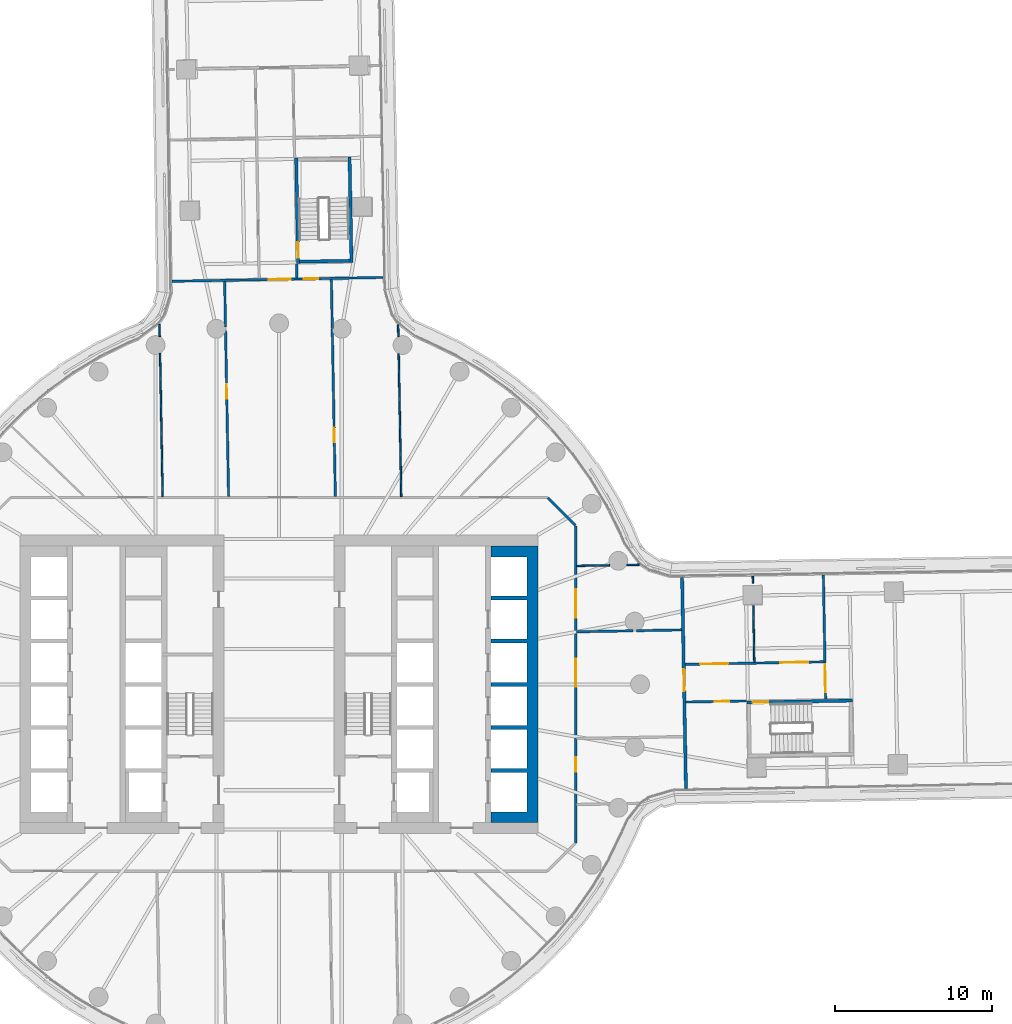
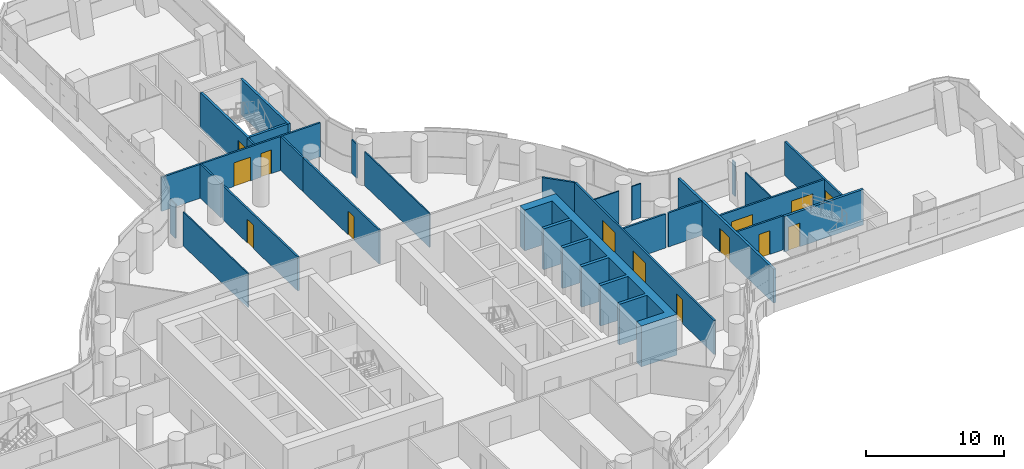
# One storey, part 22 of 31: 27 walls, 14 doors, 14 openings.
"""IFC4 building model written with IfcOpenShell, lengths in metres."""

from ifc_helpers import new_model, si_unit, direction, frame, frame_2d, origin, place, context, subcontext, project, spatial, polyline, rectangle, outline, extrude, material, layer, layer_set, type_object, element, fill, save


model = new_model("IFC4")

# Units and contexts
model_context = context("Model", 3, precision=1e-05, world=origin(), true_north=direction((0.0, 1.0)))
body_context = subcontext(model_context, "Body", "Model", "MODEL_VIEW")
ifc_project = project(units=[si_unit("LENGTHUNIT", "METRE"), si_unit("AREAUNIT", "SQUARE_METRE"), si_unit("VOLUMEUNIT", "CUBIC_METRE"), si_unit("PLANEANGLEUNIT", "RADIAN"), si_unit("MASSUNIT", "GRAM", prefix="KILO")], contexts=[model_context])

# Site, building, storey
site_placement = place(None, origin())
site = spatial("IfcSite", under=ifc_project, at=site_placement, CompositionType="ELEMENT")
building_placement = place(site_placement, origin())
building = spatial("IfcBuilding", under=site, at=building_placement, Name="Tamarind Cross Interchange Tower", CompositionType="ELEMENT")
storey_placement = place(building_placement, frame((0.0, 0.0, 37.75)))
storey = spatial("IfcBuildingStorey", under=building, at=storey_placement, Name="L07", CompositionType="ELEMENT", Elevation=37.75)

# Walls
ifc_material_1 = material(Name="Concrete C80", Category="concrete")
ifc_layer_1 = layer(ifc_material_1, 0.699951171875)
ifc_layer_set_1 = layer_set([ifc_layer_1], Name="Concrete C80")
wall_type_1 = type_object("IfcWallType", Name="Core wall 700 mm Concrete C80", PredefinedType="SHEAR", material=ifc_layer_set_1)
wall_1_placement = place(storey_placement, origin())
element("IfcWall", 1, at=wall_1_placement, inside=storey, type_object=wall_type_1, Name="Core wall CWL-L07-E-A", PredefinedType="SHEAR", context=body_context, shape_type="SweptSolid", body=[
    extrude(outline(polyline([(13.5, -8.800048828125), (15.800048828125, -8.800048828125), (16.5, -8.800048828125), (16.5, 8.800048828125), (15.800048828125, 8.800048828125), (13.5, 8.800048828125), (13.5, 8.125), (15.800048828125, 8.125), (15.800048828125, 5.625), (13.5, 5.625), (13.5, 5.375), (15.800048828125, 5.375), (15.800048828125, 2.875), (13.5, 2.875), (13.5, 2.625), (15.800048828125, 2.625), (15.800048828125, 0.125), (13.5, 0.125), (13.5, -0.125), (15.800048828125, -0.125), (15.800048828125, -2.625), (13.5, -2.625), (13.5, -2.875), (15.800048828125, -2.875), (15.800048828125, -5.375), (13.5, -5.375), (13.5, -5.625), (15.800048828125, -5.625), (15.800048828125, -8.125), (13.5, -8.125), (13.5, -8.800048828125)])), origin(), (0.0, 0.0, 1.0), 3.610107421875),
])
ifc_material_2 = material(Name="Gypsum board partition on steel studs", Category="steel")
ifc_layer_2 = layer(ifc_material_2, 0.10009765625)
ifc_layer_set_2 = layer_set([ifc_layer_2], Name="Gypsum board partition on steel studs")
wall_type_2 = type_object("IfcWallType", Name="Partition 100 mm EI 90", PredefinedType="PARTITIONING", material=ifc_layer_set_2)
wall_2_placement = place(storey_placement, frame((-7.617919921875, 22.93798828125, 0.0), z_axis=(0.0, 0.0, 1.0), x_axis=(0.01802629026, -0.999837513229, 0.0)))
element("IfcWall", 2, at=wall_2_placement, inside=storey, type_object=wall_type_2, Name="Partition L07-004", PredefinedType="PARTITIONING", context=body_context, shape_type="SweptSolid", body=[
    extrude(rectangle(XDim=0.78564453125, YDim=0.10009765625, at=frame_2d((0.392822265625, 0.0))), origin(), (0.0, 0.0, 1.0), 3.010009765625),
])
wall_3_placement = place(storey_placement, frame((-7.583984375, 21.07861328125, 0.0), z_axis=(0.0, 0.0, 1.0), x_axis=(0.018176380895, -0.999834795943, 0.0)))
element("IfcWall", 3, at=wall_3_placement, inside=storey, type_object=wall_type_2, Name="Partition L07-005", PredefinedType="PARTITIONING", context=body_context, shape_type="SweptSolid", body=[
    extrude(rectangle(XDim=9.1201171875, YDim=0.10009765625, at=frame_2d((4.56005859375, 0.0))), origin(), (0.0, 0.0, 1.0), 3.010009765625),
])
wall_4_placement = place(storey_placement, frame((7.5849609375, 22.902587890625, 0.0), z_axis=(0.0, 0.0, 1.0), x_axis=(0.018190621855, -0.999834536949, 0.0)))
element("IfcWall", 4, at=wall_4_placement, inside=storey, type_object=wall_type_2, Name="Partition L07-025", PredefinedType="PARTITIONING", context=body_context, shape_type="SweptSolid", body=[
    extrude(rectangle(XDim=0.751708984375, YDim=0.10009765625, at=frame_2d((0.3759765625, 0.0))), origin(), (0.0, 0.0, 1.0), 3.010009765625),
])
wall_5_placement = place(storey_placement, frame((7.618408203125, 21.0693359375, 0.0), z_axis=(0.0, 0.0, 1.0), x_axis=(0.018168098566, -0.999834946476, 0.0)))
element("IfcWall", 5, at=wall_5_placement, inside=storey, type_object=wall_type_2, Name="Partition L07-026", PredefinedType="PARTITIONING", context=body_context, shape_type="SweptSolid", body=[
    extrude(rectangle(XDim=9.11083984375, YDim=0.10009765625, at=frame_2d((4.555419921875, 0.0))), origin(), (0.0, 0.0, 1.0), 3.010009765625),
])
wall_6_placement = place(storey_placement, frame((30.176025390625, 6.88427734375, 0.0), z_axis=(0.0, 0.0, 1.0), x_axis=(0.018320078689, -0.999832173276, 0.0)))
element("IfcWall", 6, at=wall_6_placement, inside=storey, type_object=wall_type_2, Name="Partition L07-028", PredefinedType="PARTITIONING", context=body_context, shape_type="SweptSolid", body=[
    extrude(rectangle(XDim=0.439697265625, YDim=0.10009765625, at=frame_2d((0.2197265625, 0.0))), origin(), (0.0, 0.0, 1.0), 3.010009765625),
])
wall_7_placement = place(storey_placement, frame((30.210205078125, 5.011962890625, 0.0), z_axis=(0.0, 0.0, 1.0), x_axis=(0.018234256043, -0.999833742132, 0.0)))
element("IfcWall", 7, at=wall_7_placement, inside=storey, type_object=wall_type_2, Name="Partition L07-029", PredefinedType="PARTITIONING", context=body_context, shape_type="SweptSolid", body=[
    extrude(rectangle(XDim=3.6015625, YDim=0.10009765625, at=frame_2d((1.80078125, 0.0))), origin(), (0.0, 0.0, 1.0), 3.010009765625),
])
wall_8_placement = place(storey_placement, frame((18.9599609375, 7.546142578125, 0.0), z_axis=(0.0, 0.0, 1.0), x_axis=(0.999836384885, 0.018088766124, 0.0)))
element("IfcWall", 8, at=wall_8_placement, inside=storey, type_object=wall_type_2, Name="Partition L07-068", PredefinedType="PARTITIONING", context=body_context, shape_type="SweptSolid", body=[
    extrude(rectangle(XDim=2.118896484375, YDim=0.10009765625, at=frame_2d((1.0595703125, 0.0))), origin(), (0.0, 0.0, 1.0), 3.010009765625),
])
wall_9_placement = place(storey_placement, frame((22.152587890625, 7.603759765625, 0.0), z_axis=(0.0, 0.0, 1.0), x_axis=(0.999837513229, 0.01802629026, 0.0)))
element("IfcWall", 9, at=wall_9_placement, inside=storey, type_object=wall_type_2, Name="Partition L07-069", PredefinedType="PARTITIONING", context=body_context, shape_type="SweptSolid", body=[
    extrude(rectangle(XDim=0.78564453125, YDim=0.10009765625, at=frame_2d((0.392822265625, 0.0))), origin(), (0.0, 0.0, 1.0), 3.010009765625),
])
ifc_layer_3 = layer(ifc_material_2, 0.14990234375)
ifc_layer_set_3 = layer_set([ifc_layer_3], Name="Gypsum board partition on steel studs")
wall_type_3 = type_object("IfcWallType", Name="Partition 150 mm EI 120", PredefinedType="PARTITIONING", material=ifc_layer_set_3)
wall_10_placement = place(storey_placement, frame((-3.468017578125, 25.677001953125, 0.0), z_axis=(0.0, 0.0, 1.0), x_axis=(0.018276336432, -0.999832973814, 0.0)))
element("IfcWall", 10, at=wall_10_placement, inside=storey, type_object=wall_type_3, Name="Partition L07-010", PredefinedType="PARTITIONING", context=body_context, shape_type="SweptSolid", body=[
    extrude(rectangle(XDim=2.912109375, YDim=0.14990234375, at=frame_2d((1.4560546875, 0.0))), origin(), (0.0, 0.0, 1.0), 3.010009765625),
])

# Wall, opening, door
wall_11_placement = place(storey_placement, frame((-3.41064453125, 22.550537109375, 0.0), z_axis=(0.0, 0.0, 1.0), x_axis=(0.018277681107, -0.999832949234, 0.0)))
wall_11 = element("IfcWall", 11, at=wall_11_placement, inside=storey, type_object=wall_type_3, Name="Partition L07-011", PredefinedType="PARTITIONING", context=body_context, shape_type="SweptSolid", body=[
    extrude(rectangle(XDim=10.59228515625, YDim=0.14990234375, at=frame_2d((5.296142578125, 0.0))), origin(), (0.0, 0.0, 1.0), 3.010009765625),
])
opening_1_placement = place(wall_11_placement, frame((3.449951171875, 0.0, 0.0)))
opening_1 = element("IfcOpeningElement", 12, at=opening_1_placement, cuts=wall_11, Name="Opening D04", PredefinedType="OPENING", context=body_context, shape_type="SweptSolid", body=[
    extrude(rectangle(XDim=0.89990234375, YDim=2.10009765625, at=frame_2d((0.449951171875, 1.050048828125))), frame((0.0, 0.0849609375, 0.0), z_axis=(0.0, -1.0, 0.0), x_axis=(1.0, 0.0, 0.0)), (0.0, 0.0, 1.0), 0.169921875),
])
ifc_material_3 = material(Name="Fire-resisting door set")
door_type_1 = type_object("IfcDoorType", Name="Interior door 900 x 2100 FD60S", OperationType="SINGLE_SWING_LEFT", PredefinedType="DOOR", material=ifc_material_3)
door_1_placement = place(opening_1_placement, frame((0.89990234375, 0.0, 0.0), z_axis=(0.0, 0.0, 1.0), x_axis=(-1.0, 0.0, 0.0)))
door_1 = element("IfcDoor", 13, at=door_1_placement, inside=storey, type_object=door_type_1, Name="Door D04", OperationType="SINGLE_SWING_LEFT", OverallHeight=2.10009765625, OverallWidth=0.89990234375, PredefinedType="DOOR", context=body_context, shape_type="SweptSolid", body=[
    extrude(rectangle(XDim=0.89990234375, YDim=2.10009765625, at=frame_2d((0.449951171875, 1.050048828125))), frame((0.0, 0.02490234375, 0.0), z_axis=(0.0, -1.0, 0.0), x_axis=(1.0, 0.0, 0.0)), (0.0, 0.0, 1.0), 0.050048828125),
])
fill(opening_1, door_1)

# Walls
wall_12_placement = place(storey_placement, frame((1.11328125, 26.78125, 0.0), z_axis=(0.0, 0.0, 1.0), x_axis=(0.018440042805, -0.999829967955, 0.0)))
element("IfcWall", 14, at=wall_12_placement, inside=storey, type_object=wall_type_3, Name="Partition L07-016", PredefinedType="PARTITIONING", context=body_context, shape_type="SweptSolid", body=[
    extrude(rectangle(XDim=0.900390625, YDim=0.14990234375, at=frame_2d((0.4501953125, 0.0))), origin(), (0.0, 0.0, 1.0), 3.010009765625),
])
wall_13_placement = place(storey_placement, frame((3.3310546875, 25.801025390625, 0.0), z_axis=(0.0, 0.0, 1.0), x_axis=(0.018225530333, -0.999833901228, 0.0)))
element("IfcWall", 15, at=wall_13_placement, inside=storey, type_object=wall_type_3, Name="Partition L07-020", PredefinedType="PARTITIONING", context=body_context, shape_type="SweptSolid", body=[
    extrude(rectangle(XDim=3.134521484375, YDim=0.14990234375, at=frame_2d((1.5673828125, 0.0))), origin(), (0.0, 0.0, 1.0), 3.010009765625),
])

# Wall, opening, door
wall_14_placement = place(storey_placement, frame((3.388916015625, 22.631591796875, 0.0), z_axis=(0.0, 0.0, 1.0), x_axis=(0.018276098683, -0.99983297816, 0.0)))
wall_14 = element("IfcWall", 16, at=wall_14_placement, inside=storey, type_object=wall_type_3, Name="Partition L07-021", PredefinedType="PARTITIONING", context=body_context, shape_type="SweptSolid", body=[
    extrude(rectangle(XDim=10.67333984375, YDim=0.14990234375, at=frame_2d((5.336669921875, 0.0))), origin(), (0.0, 0.0, 1.0), 3.010009765625),
])
opening_2_placement = place(wall_14_placement, frame((6.300048828125, 0.0, 0.0)))
opening_2 = element("IfcOpeningElement", 17, at=opening_2_placement, cuts=wall_14, Name="Opening D14", PredefinedType="OPENING", context=body_context, shape_type="SweptSolid", body=[
    extrude(rectangle(XDim=0.89990234375, YDim=2.10009765625, at=frame_2d((0.449951171875, 1.050048828125))), frame((0.0, 0.0849609375, 0.0), z_axis=(0.0, -1.0, 0.0), x_axis=(1.0, 0.0, 0.0)), (0.0, 0.0, 1.0), 0.169921875),
])
door_2_placement = place(opening_2_placement, origin())
door_2 = element("IfcDoor", 18, at=door_2_placement, inside=storey, type_object=door_type_1, Name="Door D14", OperationType="SINGLE_SWING_LEFT", OverallHeight=2.10009765625, OverallWidth=0.89990234375, PredefinedType="DOOR", context=body_context, shape_type="SweptSolid", body=[
    extrude(rectangle(XDim=0.89990234375, YDim=2.10009765625, at=frame_2d((0.449951171875, 1.050048828125))), frame((0.0, 0.02490234375, 0.0), z_axis=(0.0, -1.0, 0.0), x_axis=(1.0, 0.0, 0.0)), (0.0, 0.0, 1.0), 0.050048828125),
])
fill(opening_2, door_2)

wall_15_placement = place(storey_placement, frame((34.675048828125, 6.95703125, 0.0), z_axis=(0.0, 0.0, 1.0), x_axis=(0.018268861417, -0.999833110425, 0.0)))
wall_15 = element("IfcWall", 19, at=wall_15_placement, inside=storey, type_object=wall_type_3, Name="Partition L07-030", PredefinedType="PARTITIONING", context=body_context, shape_type="SweptSolid", body=[
    extrude(rectangle(XDim=7.884521484375, YDim=0.14990234375, at=frame_2d((3.9423828125, 0.0))), origin(), (0.0, 0.0, 1.0), 3.010009765625),
])
opening_3_placement = place(wall_15_placement, frame((5.675048828125, 0.0, 0.0)))
opening_3 = element("IfcOpeningElement", 20, at=opening_3_placement, cuts=wall_15, Name="Opening D16", PredefinedType="OPENING", context=body_context, shape_type="SweptSolid", body=[
    extrude(rectangle(XDim=1.800048828125, YDim=2.10009765625, at=frame_2d((0.89990234375, 1.050048828125))), frame((0.0, 0.0849609375, 0.0), z_axis=(0.0, -1.0, 0.0), x_axis=(1.0, 0.0, 0.0)), (0.0, 0.0, 1.0), 0.169921875),
])
door_type_2 = type_object("IfcDoorType", Name="Interior door 1800 x 2100 FD60S", OperationType="DOUBLE_DOOR_SINGLE_SWING", PredefinedType="DOOR", material=ifc_material_3)
door_3_placement = place(opening_3_placement, origin())
door_3 = element("IfcDoor", 21, at=door_3_placement, inside=storey, type_object=door_type_2, Name="Door D16", OperationType="DOUBLE_DOOR_SINGLE_SWING", OverallHeight=2.10009765625, OverallWidth=1.800048828125, PredefinedType="DOOR", context=body_context, shape_type="SweptSolid", body=[
    extrude(rectangle(XDim=1.800048828125, YDim=2.10009765625, at=frame_2d((0.89990234375, 1.050048828125))), frame((0.0, 0.02490234375, 0.0), z_axis=(0.0, -1.0, 0.0), x_axis=(1.0, 0.0, 0.0)), (0.0, 0.0, 1.0), 0.050048828125),
])
fill(opening_3, door_3)

# Wall
wall_16_placement = place(storey_placement, frame((17.12841796875, 11.87158203125, 0.0), z_axis=(0.0, 0.0, 1.0), x_axis=(0.707106781187, -0.707106781187, 0.0)))
element("IfcWall", 22, at=wall_16_placement, inside=storey, type_object=wall_type_3, Name="Partition L07-033", PredefinedType="PARTITIONING", context=body_context, shape_type="SweptSolid", body=[
    extrude(rectangle(XDim=2.465087890625, YDim=0.14990234375, at=frame_2d((1.232421875, 0.0))), origin(), (0.0, 0.0, 1.0), 3.010009765625),
])

# Wall, openings, doors
wall_17_placement = place(storey_placement, frame((-6.811279296875, 25.676025390625, 0.0), z_axis=(0.0, 0.0, 1.0), x_axis=(0.999833398488, 0.018253089291, 0.0)))
wall_17 = element("IfcWall", 23, at=wall_17_placement, inside=storey, type_object=wall_type_3, Name="Partition L07-055", PredefinedType="PARTITIONING", context=body_context, shape_type="SweptSolid", body=[
    extrude(rectangle(XDim=13.442138671875, YDim=0.14990234375, at=frame_2d((6.72119140625, 0.0))), origin(), (0.0, 0.0, 1.0), 3.010009765625),
])
opening_4_placement = place(wall_17_placement, frame((6.143310546875, 0.0, 0.0)))
opening_4 = element("IfcOpeningElement", 24, at=opening_4_placement, cuts=wall_17, Name="Opening D28", PredefinedType="OPENING", context=body_context, shape_type="SweptSolid", body=[
    extrude(rectangle(XDim=1.39990234375, YDim=2.10009765625, at=frame_2d((0.699951171875, 1.050048828125))), frame((0.0, 0.0849609375, 0.0), z_axis=(0.0, -1.0, 0.0), x_axis=(1.0, 0.0, 0.0)), (0.0, 0.0, 1.0), 0.169921875),
])
opening_5_placement = place(wall_17_placement, frame((8.393798828125, 0.0, 0.0)))
opening_5 = element("IfcOpeningElement", 25, at=opening_5_placement, cuts=wall_17, Name="Opening D29", PredefinedType="OPENING", context=body_context, shape_type="SweptSolid", body=[
    extrude(rectangle(XDim=0.89990234375, YDim=2.10009765625, at=frame_2d((0.449951171875, 1.050048828125))), frame((0.0, 0.0849609375, 0.0), z_axis=(0.0, -1.0, 0.0), x_axis=(1.0, 0.0, 0.0)), (0.0, 0.0, 1.0), 0.169921875),
])
door_type_3 = type_object("IfcDoorType", Name="Interior door 1400 x 2100 FD60S", OperationType="DOUBLE_DOOR_SINGLE_SWING", PredefinedType="DOOR", material=ifc_material_3)
door_4_placement = place(opening_4_placement, frame((1.39990234375, 0.0, 0.0), z_axis=(0.0, 0.0, 1.0), x_axis=(-1.0, 0.0, 0.0)))
door_4 = element("IfcDoor", 26, at=door_4_placement, inside=storey, type_object=door_type_3, Name="Door D28", OperationType="DOUBLE_DOOR_SINGLE_SWING", OverallHeight=2.10009765625, OverallWidth=1.39990234375, PredefinedType="DOOR", context=body_context, shape_type="SweptSolid", body=[
    extrude(rectangle(XDim=1.39990234375, YDim=2.10009765625, at=frame_2d((0.699951171875, 1.050048828125))), frame((0.0, 0.02490234375, 0.0), z_axis=(0.0, -1.0, 0.0), x_axis=(1.0, 0.0, 0.0)), (0.0, 0.0, 1.0), 0.050048828125),
])
fill(opening_4, door_4)
door_5_placement = place(opening_5_placement, origin())
door_5 = element("IfcDoor", 27, at=door_5_placement, inside=storey, type_object=door_type_1, Name="Door D29", OperationType="SINGLE_SWING_LEFT", OverallHeight=2.10009765625, OverallWidth=0.89990234375, PredefinedType="DOOR", context=body_context, shape_type="SweptSolid", body=[
    extrude(rectangle(XDim=0.89990234375, YDim=2.10009765625, at=frame_2d((0.449951171875, 1.050048828125))), frame((0.0, 0.02490234375, 0.0), z_axis=(0.0, -1.0, 0.0), x_axis=(1.0, 0.0, 0.0)), (0.0, 0.0, 1.0), 0.050048828125),
])
fill(opening_5, door_5)

# Walls
wall_18_placement = place(storey_placement, frame((18.9599609375, 3.34521484375, 0.0), z_axis=(0.0, 0.0, 1.0), x_axis=(0.999833986919, 0.018220828811, 0.0)))
element("IfcWall", 28, at=wall_18_placement, inside=storey, type_object=wall_type_3, Name="Partition L07-066", PredefinedType="PARTITIONING", context=body_context, shape_type="SweptSolid", body=[
    extrude(rectangle(XDim=3.5908203125, YDim=0.14990234375, at=frame_2d((1.79541015625, 0.0))), origin(), (0.0, 0.0, 1.0), 3.010009765625),
])
wall_19_placement = place(storey_placement, frame((22.765380859375, 3.414794921875, 0.0), z_axis=(0.0, 0.0, 1.0), x_axis=(0.999834723768, 0.01818035061, 0.0)))
element("IfcWall", 29, at=wall_19_placement, inside=storey, type_object=wall_type_3, Name="Partition L07-067", PredefinedType="PARTITIONING", context=body_context, shape_type="SweptSolid", body=[
    extrude(rectangle(XDim=2.88720703125, YDim=0.14990234375, at=frame_2d((1.443603515625, 0.0))), origin(), (0.0, 0.0, 1.0), 3.010009765625),
])

# Wall, openings, doors
wall_20_placement = place(storey_placement, frame((25.862060546875, 1.2705078125, 0.0), z_axis=(0.0, 0.0, 1.0), x_axis=(0.999833939852, 0.018223411301, 0.0)))
wall_20 = element("IfcWall", 30, at=wall_20_placement, inside=storey, type_object=wall_type_3, Name="Partition L07-072", PredefinedType="PARTITIONING", context=body_context, shape_type="SweptSolid", body=[
    extrude(rectangle(XDim=8.85546875, YDim=0.14990234375, at=frame_2d((4.427734375, 0.0))), origin(), (0.0, 0.0, 1.0), 3.010009765625),
])
opening_6_placement = place(wall_20_placement, frame((6.065673828125, 0.0, 0.0)))
opening_6 = element("IfcOpeningElement", 31, at=opening_6_placement, cuts=wall_20, Name="Opening D33", PredefinedType="OPENING", context=body_context, shape_type="SweptSolid", body=[
    extrude(rectangle(XDim=1.800048828125, YDim=2.10009765625, at=frame_2d((0.89990234375, 1.050048828125))), frame((0.0, 0.0849609375, 0.0), z_axis=(0.0, -1.0, 0.0), x_axis=(1.0, 0.0, 0.0)), (0.0, 0.0, 1.0), 0.169921875),
])
opening_7_placement = place(wall_20_placement, frame((0.965087890625, 0.0, 0.0)))
opening_7 = element("IfcOpeningElement", 32, at=opening_7_placement, cuts=wall_20, Name="Opening D34", PredefinedType="OPENING", context=body_context, shape_type="SweptSolid", body=[
    extrude(rectangle(XDim=1.800048828125, YDim=2.10009765625, at=frame_2d((0.89990234375, 1.050048828125))), frame((0.0, 0.0849609375, 0.0), z_axis=(0.0, -1.0, 0.0), x_axis=(1.0, 0.0, 0.0)), (0.0, 0.0, 1.0), 0.169921875),
])
door_6_placement = place(opening_6_placement, origin())
door_6 = element("IfcDoor", 33, at=door_6_placement, inside=storey, type_object=door_type_2, Name="Door D33", OperationType="DOUBLE_DOOR_SINGLE_SWING", OverallHeight=2.10009765625, OverallWidth=1.800048828125, PredefinedType="DOOR", context=body_context, shape_type="SweptSolid", body=[
    extrude(rectangle(XDim=1.800048828125, YDim=2.10009765625, at=frame_2d((0.89990234375, 1.050048828125))), frame((0.0, 0.02490234375, 0.0), z_axis=(0.0, -1.0, 0.0), x_axis=(1.0, 0.0, 0.0)), (0.0, 0.0, 1.0), 0.050048828125),
])
fill(opening_6, door_6)
door_7_placement = place(opening_7_placement, origin())
door_7 = element("IfcDoor", 34, at=door_7_placement, inside=storey, type_object=door_type_2, Name="Door D34", OperationType="DOUBLE_DOOR_SINGLE_SWING", OverallHeight=2.10009765625, OverallWidth=1.800048828125, PredefinedType="DOOR", context=body_context, shape_type="SweptSolid", body=[
    extrude(rectangle(XDim=1.800048828125, YDim=2.10009765625, at=frame_2d((0.89990234375, 1.050048828125))), frame((0.0, 0.02490234375, 0.0), z_axis=(0.0, -1.0, 0.0), x_axis=(1.0, 0.0, 0.0)), (0.0, 0.0, 1.0), 0.050048828125),
])
fill(opening_7, door_7)

# Wall, opening, door
wall_21_placement = place(storey_placement, frame((25.906005859375, -1.12939453125, 0.0), z_axis=(0.0, 0.0, 1.0), x_axis=(0.999830750919, 0.018397541072, 0.0)))
wall_21 = element("IfcWall", 35, at=wall_21_placement, inside=storey, type_object=wall_type_3, Name="Partition L07-073", PredefinedType="PARTITIONING", context=body_context, shape_type="SweptSolid", body=[
    extrude(rectangle(XDim=3.875, YDim=0.14990234375, at=frame_2d((1.9375, 0.0))), origin(), (0.0, 0.0, 1.0), 3.010009765625),
])
opening_8_placement = place(wall_21_placement, frame((1.864990234375, 0.0, 0.0)))
opening_8 = element("IfcOpeningElement", 36, at=opening_8_placement, cuts=wall_21, Name="Opening D35", PredefinedType="OPENING", context=body_context, shape_type="SweptSolid", body=[
    extrude(rectangle(XDim=0.89990234375, YDim=2.10009765625, at=frame_2d((0.449951171875, 1.050048828125))), frame((0.0, 0.0849609375, 0.0), z_axis=(0.0, -1.0, 0.0), x_axis=(1.0, 0.0, 0.0)), (0.0, 0.0, 1.0), 0.169921875),
])
door_8_placement = place(opening_8_placement, frame((0.89990234375, 0.0, 0.0), z_axis=(0.0, 0.0, 1.0), x_axis=(-1.0, 0.0, 0.0)))
door_8 = element("IfcDoor", 37, at=door_8_placement, inside=storey, type_object=door_type_1, Name="Door D35", OperationType="SINGLE_SWING_RIGHT", OverallHeight=2.10009765625, OverallWidth=0.89990234375, PredefinedType="DOOR", context=body_context, shape_type="SweptSolid", body=[
    extrude(rectangle(XDim=0.89990234375, YDim=2.10009765625, at=frame_2d((0.449951171875, 1.050048828125))), frame((0.0, 0.02490234375, 0.0), z_axis=(0.0, -1.0, 0.0), x_axis=(1.0, 0.0, 0.0)), (0.0, 0.0, 1.0), 0.050048828125),
])
fill(opening_8, door_8)

# Wall, openings, doors
wall_22_placement = place(storey_placement, frame((18.89990234375, -10.10009765625, 0.0), z_axis=(0.0, 0.0, 1.0), x_axis=(0.0, 1.0, 0.0)))
wall_22 = element("IfcWall", 38, at=wall_22_placement, inside=storey, type_object=wall_type_3, Name="Partition L07-079", PredefinedType="PARTITIONING", context=body_context, shape_type="SweptSolid", body=[
    extrude(rectangle(XDim=20.2001953125, YDim=0.14990234375, at=frame_2d((10.10009765625, 0.0))), origin(), (0.0, 0.0, 1.0), 3.010009765625),
])
opening_9_placement = place(wall_22_placement, frame((9.943115234375, 0.0, 0.0)))
opening_9 = element("IfcOpeningElement", 39, at=opening_9_placement, cuts=wall_22, Name="Opening D39", PredefinedType="OPENING", context=body_context, shape_type="SweptSolid", body=[
    extrude(rectangle(XDim=1.800048828125, YDim=2.10009765625, at=frame_2d((0.89990234375, 1.050048828125))), frame((0.0, 0.0849609375, 0.0), z_axis=(0.0, -1.0, 0.0), x_axis=(1.0, 0.0, 0.0)), (0.0, 0.0, 1.0), 0.169921875),
])
opening_10_placement = place(wall_22_placement, frame((14.343994140625, 0.0, 0.0)))
opening_10 = element("IfcOpeningElement", 40, at=opening_10_placement, cuts=wall_22, Name="Opening D40", PredefinedType="OPENING", context=body_context, shape_type="SweptSolid", body=[
    extrude(rectangle(XDim=1.800048828125, YDim=2.10009765625, at=frame_2d((0.89990234375, 1.050048828125))), frame((0.0, 0.0849609375, 0.0), z_axis=(0.0, -1.0, 0.0), x_axis=(1.0, 0.0, 0.0)), (0.0, 0.0, 1.0), 0.169921875),
])
opening_11_placement = place(wall_22_placement, frame((4.5419921875, 0.0, 0.0)))
opening_11 = element("IfcOpeningElement", 41, at=opening_11_placement, cuts=wall_22, Name="Opening D41", PredefinedType="OPENING", context=body_context, shape_type="SweptSolid", body=[
    extrude(rectangle(XDim=0.89990234375, YDim=2.10009765625, at=frame_2d((0.449951171875, 1.050048828125))), frame((0.0, 0.0849609375, 0.0), z_axis=(0.0, -1.0, 0.0), x_axis=(1.0, 0.0, 0.0)), (0.0, 0.0, 1.0), 0.169921875),
])
door_9_placement = place(opening_9_placement, origin())
door_9 = element("IfcDoor", 42, at=door_9_placement, inside=storey, type_object=door_type_2, Name="Door D39", OperationType="DOUBLE_DOOR_SINGLE_SWING", OverallHeight=2.10009765625, OverallWidth=1.800048828125, PredefinedType="DOOR", context=body_context, shape_type="SweptSolid", body=[
    extrude(rectangle(XDim=1.800048828125, YDim=2.10009765625, at=frame_2d((0.89990234375, 1.050048828125))), frame((0.0, 0.02490234375, 0.0), z_axis=(0.0, -1.0, 0.0), x_axis=(1.0, 0.0, 0.0)), (0.0, 0.0, 1.0), 0.050048828125),
])
fill(opening_9, door_9)
door_10_placement = place(opening_10_placement, frame((1.800048828125, 0.0, 0.0), z_axis=(0.0, 0.0, 1.0), x_axis=(-1.0, 0.0, 0.0)))
door_10 = element("IfcDoor", 43, at=door_10_placement, inside=storey, type_object=door_type_2, Name="Door D40", OperationType="DOUBLE_DOOR_SINGLE_SWING", OverallHeight=2.10009765625, OverallWidth=1.800048828125, PredefinedType="DOOR", context=body_context, shape_type="SweptSolid", body=[
    extrude(rectangle(XDim=1.800048828125, YDim=2.10009765625, at=frame_2d((0.89990234375, 1.050048828125))), frame((0.0, 0.02490234375, 0.0), z_axis=(0.0, -1.0, 0.0), x_axis=(1.0, 0.0, 0.0)), (0.0, 0.0, 1.0), 0.050048828125),
])
fill(opening_10, door_10)
door_11_placement = place(opening_11_placement, frame((0.89990234375, 0.0, 0.0), z_axis=(0.0, 0.0, 1.0), x_axis=(-1.0, 0.0, 0.0)))
door_11 = element("IfcDoor", 44, at=door_11_placement, inside=storey, type_object=door_type_1, Name="Door D41", OperationType="SINGLE_SWING_LEFT", OverallHeight=2.10009765625, OverallWidth=0.89990234375, PredefinedType="DOOR", context=body_context, shape_type="SweptSolid", body=[
    extrude(rectangle(XDim=0.89990234375, YDim=2.10009765625, at=frame_2d((0.449951171875, 1.050048828125))), frame((0.0, 0.02490234375, 0.0), z_axis=(0.0, -1.0, 0.0), x_axis=(1.0, 0.0, 0.0)), (0.0, 0.0, 1.0), 0.050048828125),
])
fill(opening_11, door_11)

# Wall, opening, door
ifc_layer_4 = layer(ifc_material_2, 0.199951171875)
ifc_layer_set_4 = layer_set([ifc_layer_4], Name="Gypsum board partition on steel studs")
wall_type_4 = type_object("IfcWallType", Name="Partition 200 mm EI 180", PredefinedType="PARTITIONING", material=ifc_layer_set_4)
wall_23_placement = place(storey_placement, frame((25.676025390625, 6.811279296875, 0.0), z_axis=(0.0, 0.0, 1.0), x_axis=(0.018253089291, -0.999833398488, 0.0)))
wall_23 = element("IfcWall", 45, at=wall_23_placement, inside=storey, type_object=wall_type_4, Name="Partition L07-027", PredefinedType="PARTITIONING", context=body_context, shape_type="SweptSolid", body=[
    extrude(rectangle(XDim=13.442138671875, YDim=0.199951171875, at=frame_2d((6.72119140625, 0.0))), origin(), (0.0, 0.0, 1.0), 3.010009765625),
])
opening_12_placement = place(wall_23_placement, frame((5.84326171875, 0.0, 0.0)))
opening_12 = element("IfcOpeningElement", 46, at=opening_12_placement, cuts=wall_23, Name="Opening D15", PredefinedType="OPENING", context=body_context, shape_type="SweptSolid", body=[
    extrude(rectangle(XDim=1.39990234375, YDim=2.10009765625, at=frame_2d((0.699951171875, 1.050048828125))), frame((0.0, 0.10986328125, 0.0), z_axis=(0.0, -1.0, 0.0), x_axis=(1.0, 0.0, 0.0)), (0.0, 0.0, 1.0), 0.219970703125),
])
door_type_4 = type_object("IfcDoorType", Name="Interior door 1400 x 2100 FD120S", OperationType="DOUBLE_DOOR_SINGLE_SWING", PredefinedType="DOOR", material=ifc_material_3)
door_12_placement = place(opening_12_placement, frame((1.39990234375, 0.0, 0.0), z_axis=(0.0, 0.0, 1.0), x_axis=(-1.0, 0.0, 0.0)))
door_12 = element("IfcDoor", 47, at=door_12_placement, inside=storey, type_object=door_type_4, Name="Door D15", OperationType="DOUBLE_DOOR_SINGLE_SWING", OverallHeight=2.10009765625, OverallWidth=1.39990234375, PredefinedType="DOOR", context=body_context, shape_type="SweptSolid", body=[
    extrude(rectangle(XDim=1.39990234375, YDim=2.10009765625, at=frame_2d((0.699951171875, 1.050048828125))), frame((0.0, 0.02490234375, 0.0), z_axis=(0.0, -1.0, 0.0), x_axis=(1.0, 0.0, 0.0)), (0.0, 0.0, 1.0), 0.050048828125),
])
fill(opening_12, door_12)

ifc_material_4 = material(Name="Concrete C40", Category="concrete")
ifc_layer_5 = layer(ifc_material_4, 0.199951171875)
ifc_layer_set_5 = layer_set([ifc_layer_5], Name="Concrete C40")
wall_type_5 = type_object("IfcWallType", Name="Stair shaft wall 200 mm Concrete C40", PredefinedType="SHEAR", material=ifc_layer_set_5)
wall_24_placement = place(storey_placement, frame((29.822509765625, -1.15771484375, -0.139892578125), z_axis=(0.0, 0.0, 1.0), x_axis=(0.999833339772, 0.018256305242, 0.0)))
wall_24 = element("IfcWall", 48, at=wall_24_placement, inside=storey, type_object=wall_type_5, Name="Core wall CWL-L07-ST3-H", PredefinedType="SHEAR", context=body_context, shape_type="SweptSolid", body=[
    extrude(rectangle(XDim=6.699951171875, YDim=0.199951171875, at=frame_2d((3.35009765625, 0.0))), origin(), (0.0, 0.0, 1.0), 3.14990234375),
])
opening_13_placement = place(wall_24_placement, frame((0.35009765625, 0.0, 0.0)))
opening_13 = element("IfcOpeningElement", 49, at=opening_13_placement, cuts=wall_24, Name="Opening ST3L07", PredefinedType="OPENING", context=body_context, shape_type="SweptSolid", body=[
    extrude(rectangle(XDim=1.0, YDim=2.10009765625, at=frame_2d((0.5, 1.050048828125))), frame((0.0, 0.10986328125, 0.0), z_axis=(0.0, -1.0, 0.0), x_axis=(1.0, 0.0, 0.0)), (0.0, 0.0, 1.0), 0.219970703125),
])
ifc_material_5 = material(Name="Steel, fire-resisting", Category="steel")
door_type_5 = type_object("IfcDoorType", Name="Core fire door 1000 x 2100 FD90", OperationType="SINGLE_SWING_LEFT", PredefinedType="DOOR", material=ifc_material_5)
door_13_placement = place(opening_13_placement, origin())
door_13 = element("IfcDoor", 50, at=door_13_placement, inside=storey, type_object=door_type_5, Name="L07 stair door ST3", OperationType="SINGLE_SWING_LEFT", OverallHeight=2.10009765625, OverallWidth=1.0, PredefinedType="DOOR", context=body_context, shape_type="SweptSolid", body=[
    extrude(rectangle(XDim=1.0, YDim=2.10009765625, at=frame_2d((0.5, 1.050048828125))), frame((0.0, 0.02490234375, 0.0), z_axis=(0.0, -1.0, 0.0), x_axis=(1.0, 0.0, 0.0)), (0.0, 0.0, 1.0), 0.050048828125),
])
fill(opening_13, door_13)

wall_25_placement = place(storey_placement, frame((1.21240234375, 26.822998046875, -0.139892578125), z_axis=(0.0, 0.0, 1.0), x_axis=(-0.018256305242, 0.999833339772, 0.0)))
wall_25 = element("IfcWall", 51, at=wall_25_placement, inside=storey, type_object=wall_type_5, Name="Core wall CWL-L07-ST4-H", PredefinedType="SHEAR", context=body_context, shape_type="SweptSolid", body=[
    extrude(rectangle(XDim=6.699951171875, YDim=0.199951171875, at=frame_2d((3.35009765625, 0.0))), origin(), (0.0, 0.0, 1.0), 3.14990234375),
])
opening_14_placement = place(wall_25_placement, frame((0.35009765625, 0.0, 0.0)))
opening_14 = element("IfcOpeningElement", 52, at=opening_14_placement, cuts=wall_25, Name="Opening ST4L07", PredefinedType="OPENING", context=body_context, shape_type="SweptSolid", body=[
    extrude(rectangle(XDim=1.0, YDim=2.10009765625, at=frame_2d((0.5, 1.050048828125))), frame((0.0, 0.10986328125, 0.0), z_axis=(0.0, -1.0, 0.0), x_axis=(1.0, 0.0, 0.0)), (0.0, 0.0, 1.0), 0.219970703125),
])
door_14_placement = place(opening_14_placement, origin())
door_14 = element("IfcDoor", 53, at=door_14_placement, inside=storey, type_object=door_type_5, Name="L07 stair door ST4", OperationType="SINGLE_SWING_LEFT", OverallHeight=2.10009765625, OverallWidth=1.0, PredefinedType="DOOR", context=body_context, shape_type="SweptSolid", body=[
    extrude(rectangle(XDim=1.0, YDim=2.10009765625, at=frame_2d((0.5, 1.050048828125))), frame((0.0, 0.02490234375, 0.0), z_axis=(0.0, -1.0, 0.0), x_axis=(1.0, 0.0, 0.0)), (0.0, 0.0, 1.0), 0.050048828125),
])
fill(opening_14, door_14)

# Walls
wall_26_placement = place(storey_placement, frame((4.61181640625, 26.885009765625, -0.139892578125), z_axis=(0.0, 0.0, 1.0), x_axis=(-0.018256305242, 0.999833339772, 0.0)))
element("IfcWall", 54, at=wall_26_placement, inside=storey, type_object=wall_type_5, Name="Core wall CWL-L07-ST4-C", PredefinedType="SHEAR", context=body_context, shape_type="SweptSolid", body=[
    extrude(rectangle(XDim=6.699951171875, YDim=0.199951171875, at=frame_2d((3.35009765625, 0.0))), origin(), (0.0, 0.0, 1.0), 3.14990234375),
])
wall_27_placement = place(storey_placement, frame((4.510009765625, 26.983154296875, -0.139892578125), z_axis=(0.0, 0.0, 1.0), x_axis=(-0.999833767025, -0.018232891067, 0.0)))
element("IfcWall", 55, at=wall_27_placement, inside=storey, type_object=wall_type_5, Name="Core wall CWL-L07-ST4-CE", PredefinedType="SHEAR", context=body_context, shape_type="SweptSolid", body=[
    extrude(rectangle(XDim=3.2001953125, YDim=0.199951171875, at=frame_2d((1.60009765625, 0.0))), origin(), (0.0, 0.0, 1.0), 3.14990234375),
])

save(model, "model.ifc")
